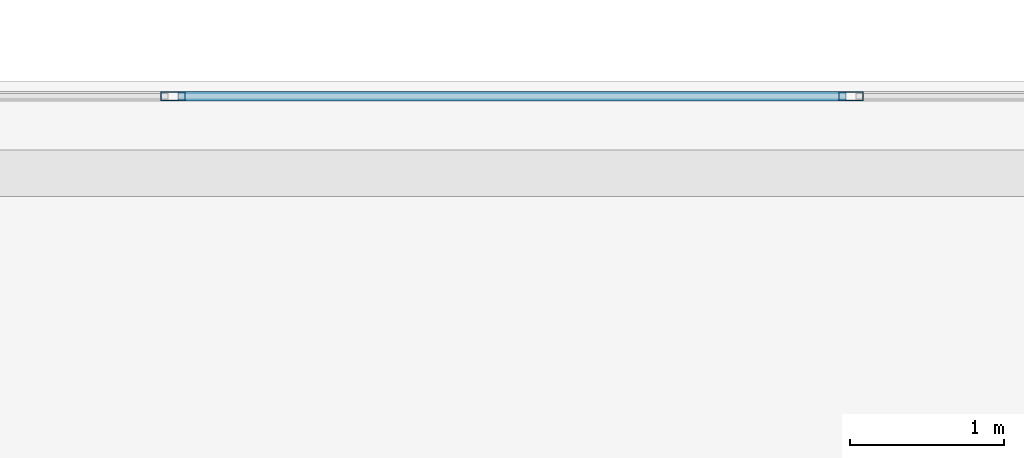
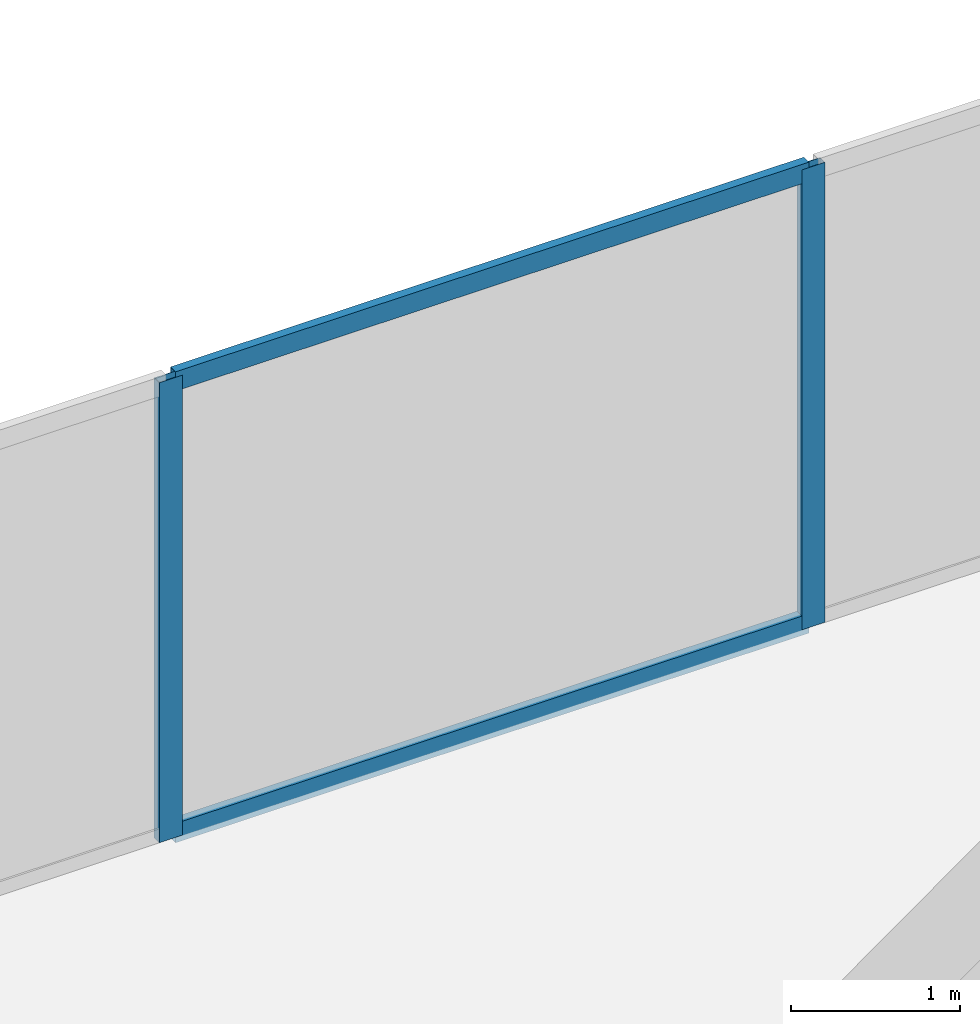
# One storey, part 22 of 33: 4 members, 1 element without a shape of its own.
"""IFC4 building model written with IfcOpenShell, lengths in metres."""

from ifc_helpers import new_model, si_unit, direction, frame, origin, origin_2d, place, context, subcontext, project, spatial, hollow_rectangle, extrude, material, layer, layer_set, material_profile, profile_set, type_object, element, aggregate, save


model = new_model("IFC4")

# Units and contexts
model_context = context("Model", 3, precision=1e-05, world=origin(), true_north=direction((0.0, 1.0)))
body_context = subcontext(model_context, "Body", "Model", "MODEL_VIEW")
ifc_project = project(units=[si_unit("LENGTHUNIT", "METRE"), si_unit("AREAUNIT", "SQUARE_METRE"), si_unit("VOLUMEUNIT", "CUBIC_METRE"), si_unit("PLANEANGLEUNIT", "RADIAN"), si_unit("MASSUNIT", "GRAM", prefix="KILO")], contexts=[model_context])

# Site, building, storey
site_placement = place(None, origin())
site = spatial("IfcSite", under=ifc_project, at=site_placement, CompositionType="ELEMENT")
building_placement = place(site_placement, origin())
building = spatial("IfcBuilding", under=site, at=building_placement, Name="Catumbela Crestline Tower", CompositionType="ELEMENT")
storey_placement = place(building_placement, frame((0.0, 0.0, 104.4)))
storey = spatial("IfcBuildingStorey", under=building, at=storey_placement, Name="L26", CompositionType="ELEMENT", Elevation=104.4)

# Curtain wall, members
ifc_material = material(Name="Aluminium alloy AW-6060-T66", Category="aluminium")
ifc_layer = layer(ifc_material, 0.18, Name="Aluminium alloy AW-6060-T66")
ifc_layer_set = layer_set([ifc_layer], Name="Aluminium alloy AW-6060-T66")
curtain_wall_type = type_object("IfcCurtainWallType", Name="CWU-Z2", PredefinedType="USERDEFINED", material=ifc_layer_set)
curtain_wall_placement = place(storey_placement, origin())
curtain_wall = element("IfcCurtainWall", 1, at=curtain_wall_placement, inside=storey, type_object=curtain_wall_type, Name="L26 Unitised Curtain Wall CW-L26-E7S1", ObjectType="UNITISED", PredefinedType="USERDEFINED")
ifc_material_profile_1 = material_profile(ifc_material, hollow_rectangle(XDim=0.06, YDim=0.16, WallThickness=0.004, at=origin_2d()), Name="ALU 160x60x4")
ifc_profile_set_1 = profile_set([ifc_material_profile_1], Name="Aluminium alloy AW-6060-T66")
member_type_1 = type_object("IfcMemberType", Name="MUL-160X60", PredefinedType="MULLION", material=ifc_profile_set_1)
member_1_placement = place(storey_placement, frame((29.9, 47.9, 0.0), z_axis=(0.0, 0.0, 1.0), x_axis=(0.0, -1.0, 0.0)))
member_1 = element("IfcMember", 2, at=member_1_placement, type_object=member_type_1, Name="CWU-Z2 mullion 5", PredefinedType="MULLION", context=body_context, shape_type="SweptSolid", body=[
    extrude(hollow_rectangle(XDim=0.06, YDim=0.16, WallThickness=0.004, at=origin_2d()), origin(), (0.0, 0.0, 1.0), 3.33),
])
member_2_placement = place(storey_placement, frame((25.5, 47.9, 0.0), z_axis=(0.0, 0.0, 1.0), x_axis=(0.0, -1.0, 0.0)))
member_2 = element("IfcMember", 3, at=member_2_placement, type_object=member_type_1, Name="CWU-Z2 mullion 6", PredefinedType="MULLION", context=body_context, shape_type="SweptSolid", body=[
    extrude(hollow_rectangle(XDim=0.06, YDim=0.16, WallThickness=0.004, at=origin_2d()), origin(), (0.0, 0.0, 1.0), 3.33),
])
ifc_material_profile_2 = material_profile(ifc_material, hollow_rectangle(XDim=0.06, YDim=0.14, WallThickness=0.004, at=origin_2d()), Name="ALU 140x60x4")
ifc_profile_set_2 = profile_set([ifc_material_profile_2], Name="Aluminium alloy AW-6060-T66")
member_type_2 = type_object("IfcMemberType", Name="TRN-140X60", PredefinedType="USERDEFINED", material=ifc_profile_set_2)
member_3_placement = place(storey_placement, frame((29.8675, 47.9, 0.03), z_axis=(-1.0, 0.0, 0.0), x_axis=(0.0, -1.0, 0.0)))
member_3 = element("IfcMember", 4, at=member_3_placement, type_object=member_type_2, Name="CWU-Z2 transom 5.1", ObjectType="TRANSOM", PredefinedType="USERDEFINED", context=body_context, shape_type="SweptSolid", body=[
    extrude(hollow_rectangle(XDim=0.06, YDim=0.14, WallThickness=0.004, at=origin_2d()), origin(), (0.0, 0.0, 1.0), 4.335),
])
member_4_placement = place(storey_placement, frame((29.8675, 47.9, 3.3), z_axis=(-1.0, 0.0, 0.0), x_axis=(0.0, -1.0, 0.0)))
member_4 = element("IfcMember", 5, at=member_4_placement, type_object=member_type_2, Name="CWU-Z2 transom 5.2", ObjectType="TRANSOM", PredefinedType="USERDEFINED", context=body_context, shape_type="SweptSolid", body=[
    extrude(hollow_rectangle(XDim=0.06, YDim=0.14, WallThickness=0.004, at=origin_2d()), origin(), (0.0, 0.0, 1.0), 4.335),
])
aggregate(curtain_wall, [member_1, member_2, member_3, member_4])

save(model, "model.ifc")
